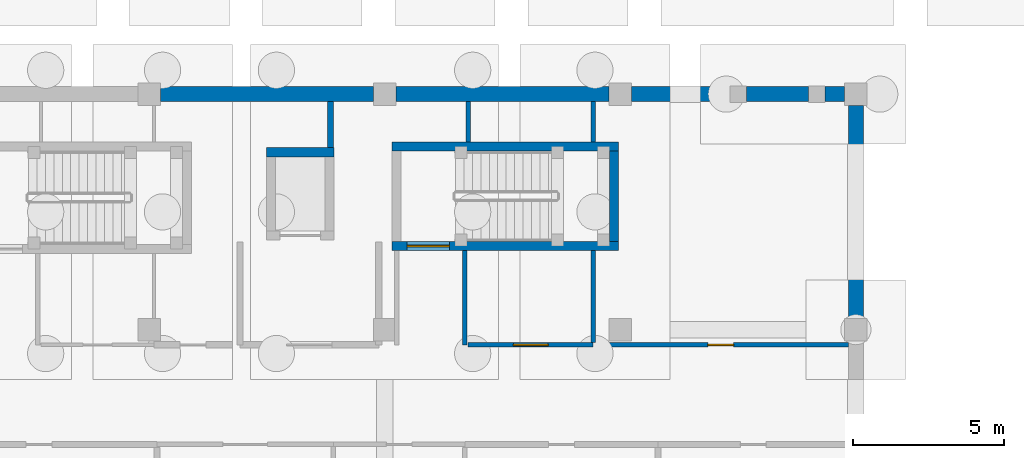
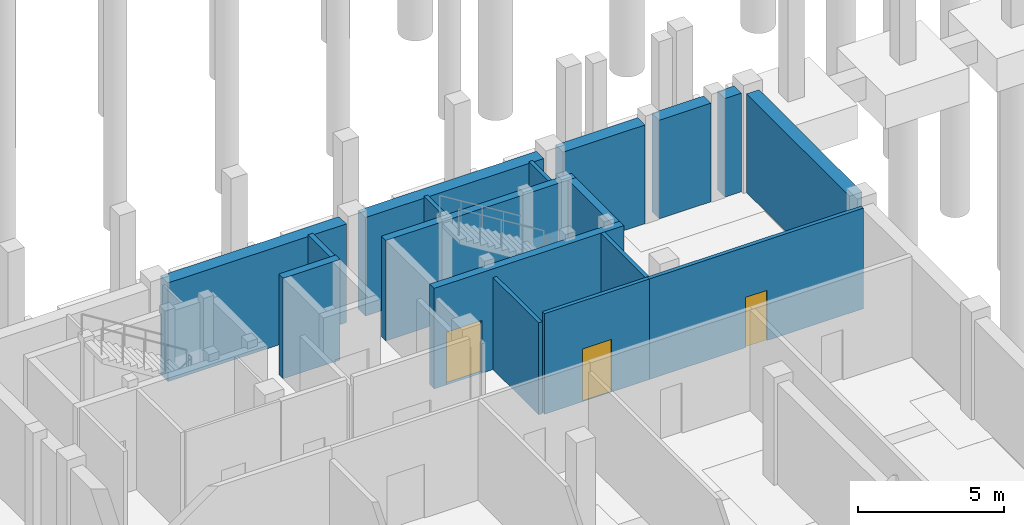
# One storey, part 14 of 24: 17 walls, 3 doors, 3 openings.
"""IFC4 building model written with IfcOpenShell, lengths in metres."""

import ifcopenshell
import ifcopenshell.guid

model = None  # the IFC model being written
_history = None  # IfcOwnerHistory: only IFC2X3 demands one
_inside = {}  # id of a spatial element -> (the spatial element, [elements in it])
_under = {}  # id of a project, library or spatial element -> (it, [spatial elements below it])
_declared = {}  # id of a project -> (the project, [libraries it declares])
_typed = {}  # id of a type object -> (the type object, [elements of that type])
_made_of = {}  # id of a material, layer set ... -> (it, [elements and type objects made of it])


def new_model(schema):
    """Start an empty IFC model of exactly this schema.

    Asked for "IFC4X3", IfcOpenShell would pick the latest addendum, in which some entities
    have other attributes; the version numbers below select the first issue.
    IFC2X3 requires an IfcOwnerHistory on every rooted entity: one is made here for all.
    """
    global model, _history
    if schema == "IFC4X3":
        model = ifcopenshell.file(schema_version=(4, 3, 0, 0))
    else:
        model = ifcopenshell.file(schema=schema)
    _inside.clear()
    _under.clear()
    _declared.clear()
    _typed.clear()
    _made_of.clear()
    _history = None
    if model.schema == "IFC2X3":
        org = make("IfcOrganization", Name="unknown")
        user = make(
            "IfcPersonAndOrganization",
            ThePerson=make("IfcPerson", FamilyName="unknown"),
            TheOrganization=org,
        )
        app = make(
            "IfcApplication",
            ApplicationDeveloper=org,
            Version="unknown",
            ApplicationFullName="unknown",
            ApplicationIdentifier="unknown",
        )
        _history = make(
            "IfcOwnerHistory",
            OwningUser=user,
            OwningApplication=app,
            ChangeAction="ADDED",
            CreationDate=0,
        )
    return model


def make(cls, **values):
    """One entity of the class cls with the attributes given. An attribute that is None is left unset."""
    return model.create_entity(
        cls, **{name: value for name, value in values.items() if value is not None}
    )


def rooted(cls, **values):
    """An entity with a GlobalId (a new one), such as an element, a storey or a relation."""
    return make(cls, GlobalId=ifcopenshell.guid.new(), OwnerHistory=_history, **values)


def si_unit(unit_type, name, prefix=None):
    """IfcSIUnit, for example si_unit("LENGTHUNIT", "METRE", prefix="MILLI")."""
    return make("IfcSIUnit", UnitType=unit_type, Prefix=prefix, Name=name)


def assignment(units):
    """IfcUnitAssignment: the units of a project."""
    return None if units is None else make("IfcUnitAssignment", Units=units)


def point(xyz):
    """IfcCartesianPoint."""
    return None if xyz is None else make("IfcCartesianPoint", Coordinates=xyz)


def direction(xyz):
    """IfcDirection."""
    return None if xyz is None else make("IfcDirection", DirectionRatios=xyz)


def frame(location, z_axis=None, x_axis=None):
    """IfcAxis2Placement3D, a coordinate frame: its origin and axes. An axis left out is left unset."""
    return make(
        "IfcAxis2Placement3D",
        Location=point(location),
        Axis=direction(z_axis),
        RefDirection=direction(x_axis),
    )


def frame_2d(location, x_axis=None):
    """IfcAxis2Placement2D, a coordinate frame in the plane: its origin and x axis."""
    return make(
        "IfcAxis2Placement2D", Location=point(location), RefDirection=direction(x_axis)
    )


def origin():
    """The frame at (0, 0, 0) with its axes left unset."""
    return frame((0.0, 0.0, 0.0))


def place(relative_to, where):
    """IfcLocalPlacement: puts the frame where relative to a parent placement (None: the world)."""
    return make(
        "IfcLocalPlacement", PlacementRelTo=relative_to, RelativePlacement=where
    )


def context(
    kind, dimensions, precision=None, world=None, true_north=None, identifier=None
):
    """IfcGeometricRepresentationContext, for example the 3D "Model" context."""
    return make(
        "IfcGeometricRepresentationContext",
        ContextIdentifier=identifier,
        ContextType=kind,
        CoordinateSpaceDimension=dimensions,
        Precision=precision,
        WorldCoordinateSystem=world,
        TrueNorth=true_north,
    )


def subcontext(parent, identifier, kind, view, scale=None):
    """IfcGeometricRepresentationSubContext, for example "Body" below "Model"."""
    return make(
        "IfcGeometricRepresentationSubContext",
        ContextIdentifier=identifier,
        ContextType=kind,
        ParentContext=parent,
        TargetScale=scale,
        TargetView=view,
    )


def project(units=None, contexts=None):
    """IfcProject with its units and contexts."""
    return rooted(
        "IfcProject",
        Name="project",
        RepresentationContexts=contexts,
        UnitsInContext=assignment(units),
    )


def spatial(cls, under=None, at=None, **own):
    """A site, building, storey or space (cls), placed at a placement, below another one or the project."""
    s = rooted(cls, ObjectPlacement=at, **own)
    if under is not None:
        _under.setdefault(under.id(), (under, []))[1].append(s)
    return s


def profile(cls, at=None, kind="AREA", **sizes):
    """A parametric profile (cls). Its sizes go by their IFC names, for example OverallWidth=200.0."""
    return make(cls, ProfileType=kind, Position=at, **sizes)


def rectangle(**sizes):
    """IfcRectangleProfileDef."""
    return profile("IfcRectangleProfileDef", **sizes)


def extrude(swept, where, along, depth):
    """IfcExtrudedAreaSolid: the profile swept, set in the frame where, extruded along a direction by depth."""
    return make(
        "IfcExtrudedAreaSolid",
        SweptArea=swept,
        Position=where,
        ExtrudedDirection=direction(along),
        Depth=depth,
    )


def shape(context_of_items, identifier, shape_type, items):
    """IfcShapeRepresentation: the items that make up one representation, for example the "Body"."""
    return make(
        "IfcShapeRepresentation",
        ContextOfItems=context_of_items,
        RepresentationIdentifier=identifier,
        RepresentationType=shape_type,
        Items=items,
    )


def material(Name=None, Category=None):
    """IfcMaterial."""
    return make("IfcMaterial", Name=Name, Category=Category)


def layer(
    of_material, thickness, ventilated=None, Name=None, Category=None, Priority=None
):
    """IfcMaterialLayer: one layer of a wall or slab, of a material (None: an air gap)."""
    return make(
        "IfcMaterialLayer",
        Material=of_material,
        LayerThickness=thickness,
        IsVentilated=ventilated,
        Name=Name,
        Category=Category,
        Priority=Priority,
    )


def layer_set(layers, Name=None):
    """IfcMaterialLayerSet."""
    return make("IfcMaterialLayerSet", MaterialLayers=layers, LayerSetName=Name)


def made_of(thing, what):
    """Note that an element or type object is made of a material, layer set ...; save() writes the relation."""
    if what is not None:
        _made_of.setdefault(what.id(), (what, []))[1].append(thing)
    return thing


def type_object(cls, material=None, **own):
    """A type object (cls), such as IfcWallType, which elements share."""
    return made_of(rooted(cls, **own), material)


def element(
    cls,
    number,
    at=None,
    inside=None,
    cuts=None,
    type_object=None,
    material=None,
    context=None,
    identifier="Body",
    shape_type=None,
    held_by="IfcProductDefinitionShape",
    body=None,
    shapes=None,
    **own,
):
    """One element of the class cls, such as IfcWall. Its Tag is "e" and its number.

    at: its placement. inside: the storey or other place that contains it. cuts: it is an
    opening in that element (IfcRelVoidsElement). A single representation is given by context,
    identifier, shape_type and body (its items); several are given by shapes. held_by: the class
    of the entity that holds the representations. save() writes the other relations.
    """
    e = rooted(cls, Tag="e%d" % number, ObjectPlacement=at, **own)
    if body is not None:
        shapes = [shape(context, identifier, shape_type, body)]
    if shapes is not None:
        e.Representation = make(held_by, Representations=shapes)
    if inside is not None:
        _inside.setdefault(inside.id(), (inside, []))[1].append(e)
    if cuts is not None:
        rooted(
            "IfcRelVoidsElement", RelatingBuildingElement=cuts, RelatedOpeningElement=e
        )
    if type_object is not None:
        _typed.setdefault(type_object.id(), (type_object, []))[1].append(e)
    return made_of(e, material)


def fill(opening, filler):
    """IfcRelFillsElement: the door or window that sits in an opening."""
    return rooted(
        "IfcRelFillsElement",
        RelatingOpeningElement=opening,
        RelatedBuildingElement=filler,
    )


def aggregate(whole, parts):
    """IfcRelAggregates: a whole, such as a stair, and the parts it consists of."""
    return rooted("IfcRelAggregates", RelatingObject=whole, RelatedObjects=parts)


def save(model, path):
    """Write the relations noted so far, then the file.

    IfcRelAggregates (storeys below a building ...), IfcRelContainedInSpatialStructure (elements
    in a storey), IfcRelDefinesByType, IfcRelAssociatesMaterial and IfcRelDeclares: one each for
    every whole, place, type object, material and project.
    """
    for whole, parts in _under.values():
        aggregate(whole, parts)
    for where, things in _inside.values():
        rooted(
            "IfcRelContainedInSpatialStructure",
            RelatedElements=things,
            RelatingStructure=where,
        )
    for kind, things in _typed.values():
        rooted("IfcRelDefinesByType", RelatedObjects=things, RelatingType=kind)
    for what, things in _made_of.values():
        rooted("IfcRelAssociatesMaterial", RelatedObjects=things, RelatingMaterial=what)
    for by, libraries in _declared.values():
        rooted("IfcRelDeclares", RelatingContext=by, RelatedDefinitions=libraries)
    model.write(path)


model = new_model("IFC4")

# Units and contexts
model_context = context("Model", 3, precision=1e-05, world=origin(), true_north=direction((0.0, 1.0)))
body_context = subcontext(model_context, "Body", "Model", "MODEL_VIEW")
ifc_project = project(units=[si_unit("LENGTHUNIT", "METRE"), si_unit("AREAUNIT", "SQUARE_METRE"), si_unit("VOLUMEUNIT", "CUBIC_METRE"), si_unit("PLANEANGLEUNIT", "RADIAN"), si_unit("MASSUNIT", "GRAM", prefix="KILO")], contexts=[model_context])

# Site, building, storey
site_placement = place(None, origin())
site = spatial("IfcSite", under=ifc_project, at=site_placement, CompositionType="ELEMENT")
building_placement = place(site_placement, origin())
building = spatial("IfcBuilding", under=site, at=building_placement, Name="Celorna Specialist Clinic", CompositionType="ELEMENT")
storey_placement = place(building_placement, frame((0.0, 0.0, -4.5)))
storey = spatial("IfcBuildingStorey", under=building, at=storey_placement, Name="B01", CompositionType="ELEMENT", Elevation=-4.5)

# Walls
ifc_material_1 = material(Name="Concrete C35/45", Category="concrete")
ifc_layer_1 = layer(ifc_material_1, 0.5, Name="Concrete C35/45")
ifc_layer_set_1 = layer_set([ifc_layer_1], Name="Concrete C35/45")
wall_type_1 = type_object("IfcWallType", Name="WT-03", PredefinedType="SOLIDWALL", material=ifc_layer_set_1)
for number, where, z_axis, x_axis, name in (
    (1, (62.77490234375, 42.89990234375, 0.0), (0.0, 0.0, 1.0), (1.0, 0.0, 0.0), "External facade wall WT-03 #38"),
    (2, (70.574951171875, 42.89990234375, 0.0), (0.0, 0.0, 1.0), (1.0, 0.0, 0.0), "External facade wall WT-03 #39"),
):
    element("IfcWall", number, at=place(storey_placement, frame(where, z_axis=z_axis, x_axis=x_axis)), inside=storey, type_object=wall_type_1, Name=name, PredefinedType="SOLIDWALL", context=body_context, shape_type="SweptSolid", body=[
        extrude(rectangle(XDim=7.050048828125, YDim=0.5, at=frame_2d((3.52490234375, 0.0))), origin(), (0.0, 0.0, 1.0), 4.1201171875),
    ])
wall_1_placement = place(storey_placement, frame((78.375, 42.89990234375, 0.0), z_axis=(0.0, 0.0, 1.0), x_axis=(1.0, 0.0, 0.0)))
element("IfcWall", 3, at=wall_1_placement, inside=storey, type_object=wall_type_1, Name="External facade wall WT-03 #40", PredefinedType="SOLIDWALL", context=body_context, shape_type="SweptSolid", body=[
    extrude(rectangle(XDim=3.25, YDim=0.5, at=frame_2d((1.625, 0.0))), origin(), (0.0, 0.0, 1.0), 4.1201171875),
])
wall_2_placement = place(storey_placement, frame((82.175048828125, 42.89990234375, 0.0), z_axis=(0.0, 0.0, 1.0), x_axis=(1.0, 0.0, 0.0)))
element("IfcWall", 4, at=wall_2_placement, inside=storey, type_object=wall_type_1, Name="External facade wall WT-03 #41", PredefinedType="SOLIDWALL", context=body_context, shape_type="SweptSolid", body=[
    extrude(rectangle(XDim=2.050048828125, YDim=0.5, at=frame_2d((1.02490234375, 0.0))), origin(), (0.0, 0.0, 1.0), 4.1201171875),
])
wall_3_placement = place(storey_placement, frame((84.77490234375, 42.89990234375, 0.0), z_axis=(0.0, 0.0, 1.0), x_axis=(1.0, 0.0, 0.0)))
element("IfcWall", 5, at=wall_3_placement, inside=storey, type_object=wall_type_1, Name="External facade wall WT-03 #42", PredefinedType="SOLIDWALL", context=body_context, shape_type="SweptSolid", body=[
    extrude(rectangle(XDim=0.650146484375, YDim=0.5, at=frame_2d((0.3251953125, 0.0))), origin(), (0.0, 0.0, 1.0), 4.1201171875),
])
wall_4_placement = place(storey_placement, frame((85.800048828125, 42.52490234375, 0.0), z_axis=(0.0, 0.0, 1.0), x_axis=(0.0, -1.0, 0.0)))
element("IfcWall", 6, at=wall_4_placement, inside=storey, type_object=wall_type_1, Name="External facade wall WT-03 #43", PredefinedType="SOLIDWALL", context=body_context, shape_type="SweptSolid", body=[
    extrude(rectangle(XDim=7.0498046875, YDim=0.5, at=frame_2d((3.52490234375, 0.0))), origin(), (0.0, 0.0, 1.0), 4.1201171875),
])

# Wall, opening, door
ifc_layer_2 = layer(ifc_material_1, 0.300048828125, Name="Concrete C35/45")
ifc_layer_set_2 = layer_set([ifc_layer_2], Name="Concrete C35/45")
wall_type_2 = type_object("IfcWallType", Name="WT-08", PredefinedType="SHEAR", material=ifc_layer_set_2)
wall_5_placement = place(storey_placement, frame((70.43994140625, 37.8701171875, 0.0), z_axis=(0.0, 0.0, 1.0), x_axis=(1.0, 0.0, 0.0)))
wall_5 = element("IfcWall", 7, at=wall_5_placement, inside=storey, type_object=wall_type_2, Name="Stair ST-09 RC core wall B01 south", PredefinedType="SHEAR", context=body_context, shape_type="SweptSolid", body=[
    extrude(rectangle(XDim=7.5, YDim=0.300048828125, at=frame_2d((3.75, 0.0))), origin(), (0.0, 0.0, 1.0), 4.199951171875),
])
opening_1_placement = place(wall_5_placement, frame((0.5, 0.0, 0.0)))
opening_1 = element("IfcOpeningElement", 8, at=opening_1_placement, cuts=wall_5, Name="Opening DR-10", PredefinedType="OPENING", context=body_context, shape_type="SweptSolid", body=[
    extrude(rectangle(XDim=1.39990234375, YDim=2.199951171875, at=frame_2d((0.699951171875, 1.10009765625))), frame((0.0, 0.159912109375, 0.0), z_axis=(0.0, -1.0, 0.0), x_axis=(1.0, 0.0, 0.0)), (0.0, 0.0, 1.0), 0.320068359375),
])
ifc_material_2 = material(Name="Protected exit stair fire door")
door_type_1 = type_object("IfcDoorType", Name="DR-10", OperationType="NOTDEFINED", PredefinedType="DOOR", material=ifc_material_2)
door_1_placement = place(opening_1_placement, origin())
door_1 = element("IfcDoor", 9, at=door_1_placement, inside=storey, type_object=door_type_1, Name="Protected exit stair door ST-09 B01", OperationType="SINGLE_SWING_LEFT", OverallHeight=2.199951171875, OverallWidth=1.39990234375, PredefinedType="DOOR", context=body_context, shape_type="SweptSolid", body=[
    extrude(rectangle(XDim=1.39990234375, YDim=2.199951171875, at=frame_2d((0.699951171875, 1.10009765625))), frame((0.0, 0.02490234375, 0.0), z_axis=(0.0, -1.0, 0.0), x_axis=(1.0, 0.0, 0.0)), (0.0, 0.0, 1.0), 0.050048828125),
])
fill(opening_1, door_1)

# Walls
wall_6_placement = place(storey_placement, frame((77.93994140625, 41.169921875, 0.0), z_axis=(0.0, 0.0, 1.0), x_axis=(-1.0, 0.0, 0.0)))
element("IfcWall", 10, at=wall_6_placement, inside=storey, type_object=wall_type_2, Name="Stair ST-09 RC core wall B01 north", PredefinedType="SHEAR", context=body_context, shape_type="SweptSolid", body=[
    extrude(rectangle(XDim=7.5, YDim=0.300048828125, at=frame_2d((3.75, 0.0))), origin(), (0.0, 0.0, 1.0), 4.199951171875),
])
wall_7_placement = place(storey_placement, frame((77.7900390625, 38.02001953125, 0.0), z_axis=(0.0, 0.0, 1.0), x_axis=(0.0, 1.0, 0.0)))
element("IfcWall", 11, at=wall_7_placement, inside=storey, type_object=wall_type_2, Name="Stair ST-09 RC core wall B01 east", PredefinedType="SHEAR", context=body_context, shape_type="SweptSolid", body=[
    extrude(rectangle(XDim=3.0, YDim=0.300048828125, at=frame_2d((1.5, 0.0))), origin(), (0.0, 0.0, 1.0), 4.199951171875),
])
wall_8_placement = place(storey_placement, frame((68.52490234375, 40.97509765625, 0.0), z_axis=(0.0, 0.0, 1.0), x_axis=(-1.0, 0.0, 0.0)))
element("IfcWall", 12, at=wall_8_placement, inside=storey, type_object=wall_type_2, Name="Lift LF-07 RC shaft wall B01", PredefinedType="SHEAR", context=body_context, shape_type="SweptSolid", body=[
    extrude(rectangle(XDim=2.25, YDim=0.300048828125, at=frame_2d((1.125, 0.0))), origin(), (0.0, 0.0, 1.0), 4.199951171875),
])
ifc_layer_3 = layer(ifc_material_1, 0.199951171875, Name="Concrete C35/45")
ifc_layer_set_3 = layer_set([ifc_layer_3], Name="Concrete C35/45")
wall_type_3 = type_object("IfcWallType", Name="WT-12", PredefinedType="SOLIDWALL", material=ifc_layer_set_3)
wall_9_placement = place(storey_placement, frame((68.39990234375, 41.125, 0.0), z_axis=(0.0, 0.0, 1.0), x_axis=(0.0, 1.0, 0.0)))
element("IfcWall", 13, at=wall_9_placement, inside=storey, type_object=wall_type_3, Name="Room dividing partition WT-12 B01-052", PredefinedType="SOLIDWALL", context=body_context, shape_type="SweptSolid", body=[
    extrude(rectangle(XDim=1.52490234375, YDim=0.199951171875, at=frame_2d((0.762451171875, 0.0))), origin(), (0.0, 0.0, 1.0), 4.199951171875),
])
ifc_material_3 = material(Name="Fire-rated gypsum board partition")
ifc_layer_4 = layer(ifc_material_3, 0.14990234375, Name="Fire-rated gypsum board partition")
ifc_layer_set_4 = layer_set([ifc_layer_4], Name="Fire-rated gypsum board partition")
wall_type_4 = type_object("IfcWallType", Name="WT-14", PredefinedType="PARTITIONING", material=ifc_layer_set_4)
wall_10_placement = place(storey_placement, frame((72.840087890625, 34.60009765625, 0.0), z_axis=(0.0, 0.0, 1.0), x_axis=(0.0, 1.0, 0.0)))
element("IfcWall", 14, at=wall_10_placement, inside=storey, type_object=wall_type_4, Name="Corridor spur partition WT-14", PredefinedType="PARTITIONING", context=body_context, shape_type="SweptSolid", body=[
    extrude(rectangle(XDim=3.119873046875, YDim=0.14990234375, at=frame_2d((1.56005859375, 0.0))), origin(), (0.0, 0.0, 1.0), 3.840087890625),
])

# Wall, opening, door
wall_11_placement = place(storey_placement, frame((72.9599609375, 34.60009765625, 0.0), z_axis=(0.0, 0.0, 1.0), x_axis=(1.0, 0.0, 0.0)))
wall_11 = element("IfcWall", 15, at=wall_11_placement, inside=storey, type_object=wall_type_4, Name="Interior partition WT-14 B01-053", PredefinedType="PARTITIONING", context=body_context, shape_type="SweptSolid", body=[
    extrude(rectangle(XDim=4.14013671875, YDim=0.14990234375, at=frame_2d((2.070068359375, 0.0))), origin(), (0.0, 0.0, 1.0), 4.199951171875),
])
opening_2_placement = place(wall_11_placement, frame((1.4951171875, 0.0, 0.0)))
opening_2 = element("IfcOpeningElement", 16, at=opening_2_placement, cuts=wall_11, Name="Opening DR-07", PredefinedType="OPENING", context=body_context, shape_type="SweptSolid", body=[
    extrude(rectangle(XDim=1.14990234375, YDim=2.199951171875, at=frame_2d((0.574951171875, 1.10009765625))), frame((0.0, 0.0849609375, 0.0), z_axis=(0.0, -1.0, 0.0), x_axis=(1.0, 0.0, 0.0)), (0.0, 0.0, 1.0), 0.169921875),
])
ifc_material_4 = material(Name="Hermetic cleanroom airlock door")
door_type_2 = type_object("IfcDoorType", Name="DR-07", OperationType="NOTDEFINED", PredefinedType="DOOR", material=ifc_material_4)
door_2_placement = place(opening_2_placement, origin())
door_2 = element("IfcDoor", 17, at=door_2_placement, inside=storey, type_object=door_type_2, Name="Biomedical Engineering Workshop door B01-053", OperationType="SINGLE_SWING_RIGHT", OverallHeight=2.199951171875, OverallWidth=1.14990234375, PredefinedType="DOOR", context=body_context, shape_type="SweptSolid", body=[
    extrude(rectangle(XDim=1.14990234375, YDim=2.199951171875, at=frame_2d((0.574951171875, 1.10009765625))), frame((0.0, 0.02490234375, 0.0), z_axis=(0.0, -1.0, 0.0), x_axis=(1.0, 0.0, 0.0)), (0.0, 0.0, 1.0), 0.050048828125),
])
fill(opening_2, door_2)

wall_12_placement = place(storey_placement, frame((77.10009765625, 34.60009765625, 0.0), z_axis=(0.0, 0.0, 1.0), x_axis=(1.0, 0.0, 0.0)))
wall_12 = element("IfcWall", 18, at=wall_12_placement, inside=storey, type_object=wall_type_4, Name="Interior partition WT-14 B01-054", PredefinedType="PARTITIONING", context=body_context, shape_type="SweptSolid", body=[
    extrude(rectangle(XDim=8.449951171875, YDim=0.14990234375, at=frame_2d((4.22509765625, 0.0))), origin(), (0.0, 0.0, 1.0), 4.199951171875),
])
opening_3_placement = place(wall_12_placement, frame((3.800048828125, 0.0, 0.0)))
opening_3 = element("IfcOpeningElement", 19, at=opening_3_placement, cuts=wall_12, Name="Opening DR-01", PredefinedType="OPENING", context=body_context, shape_type="SweptSolid", body=[
    extrude(rectangle(XDim=0.85009765625, YDim=2.10009765625, at=frame_2d((0.425048828125, 1.050048828125))), frame((0.0, 0.0849609375, 0.0), z_axis=(0.0, -1.0, 0.0), x_axis=(1.0, 0.0, 0.0)), (0.0, 0.0, 1.0), 0.169921875),
])
ifc_material_5 = material(Name="Powder-coated steel door", Category="steel")
door_type_3 = type_object("IfcDoorType", Name="DR-01", OperationType="NOTDEFINED", PredefinedType="DOOR", material=ifc_material_5)
door_3_placement = place(opening_3_placement, origin())
door_3 = element("IfcDoor", 20, at=door_3_placement, inside=storey, type_object=door_type_3, Name="Clinical Linen and Supply Store door B01-054", OperationType="SINGLE_SWING_LEFT", OverallHeight=2.10009765625, OverallWidth=0.85009765625, PredefinedType="DOOR", context=body_context, shape_type="SweptSolid", body=[
    extrude(rectangle(XDim=0.85009765625, YDim=2.10009765625, at=frame_2d((0.425048828125, 1.050048828125))), frame((0.0, 0.02490234375, 0.0), z_axis=(0.0, -1.0, 0.0), x_axis=(1.0, 0.0, 0.0)), (0.0, 0.0, 1.0), 0.050048828125),
])
fill(opening_3, door_3)

# Walls
wall_13_placement = place(storey_placement, frame((72.9599609375, 41.320068359375, 0.0), z_axis=(0.0, 0.0, 1.0), x_axis=(0.0, 1.0, 0.0)))
element("IfcWall", 21, at=wall_13_placement, inside=storey, type_object=wall_type_4, Name="Room dividing partition WT-14 B01-053", PredefinedType="PARTITIONING", context=body_context, shape_type="SweptSolid", body=[
    extrude(rectangle(XDim=1.329833984375, YDim=0.14990234375, at=frame_2d((0.6650390625, 0.0))), origin(), (0.0, 0.0, 1.0), 4.199951171875),
])
wall_14_placement = place(storey_placement, frame((77.10009765625, 34.675048828125, 0.0), z_axis=(0.0, 0.0, 1.0), x_axis=(0.0, 1.0, 0.0)))
element("IfcWall", 22, at=wall_14_placement, inside=storey, type_object=wall_type_4, Name="Room dividing partition WT-14 B01-053", PredefinedType="PARTITIONING", context=body_context, shape_type="SweptSolid", body=[
    extrude(rectangle(XDim=3.044921875, YDim=0.14990234375, at=frame_2d((1.5224609375, 0.0))), origin(), (0.0, 0.0, 1.0), 4.199951171875),
])
wall_15_placement = place(storey_placement, frame((77.10009765625, 41.320068359375, 0.0), z_axis=(0.0, 0.0, 1.0), x_axis=(0.0, 1.0, 0.0)))
element("IfcWall", 23, at=wall_15_placement, inside=storey, type_object=wall_type_4, Name="Room dividing partition WT-14 B01-053", PredefinedType="PARTITIONING", context=body_context, shape_type="SweptSolid", body=[
    extrude(rectangle(XDim=1.329833984375, YDim=0.14990234375, at=frame_2d((0.6650390625, 0.0))), origin(), (0.0, 0.0, 1.0), 4.199951171875),
])

save(model, "model.ifc")
